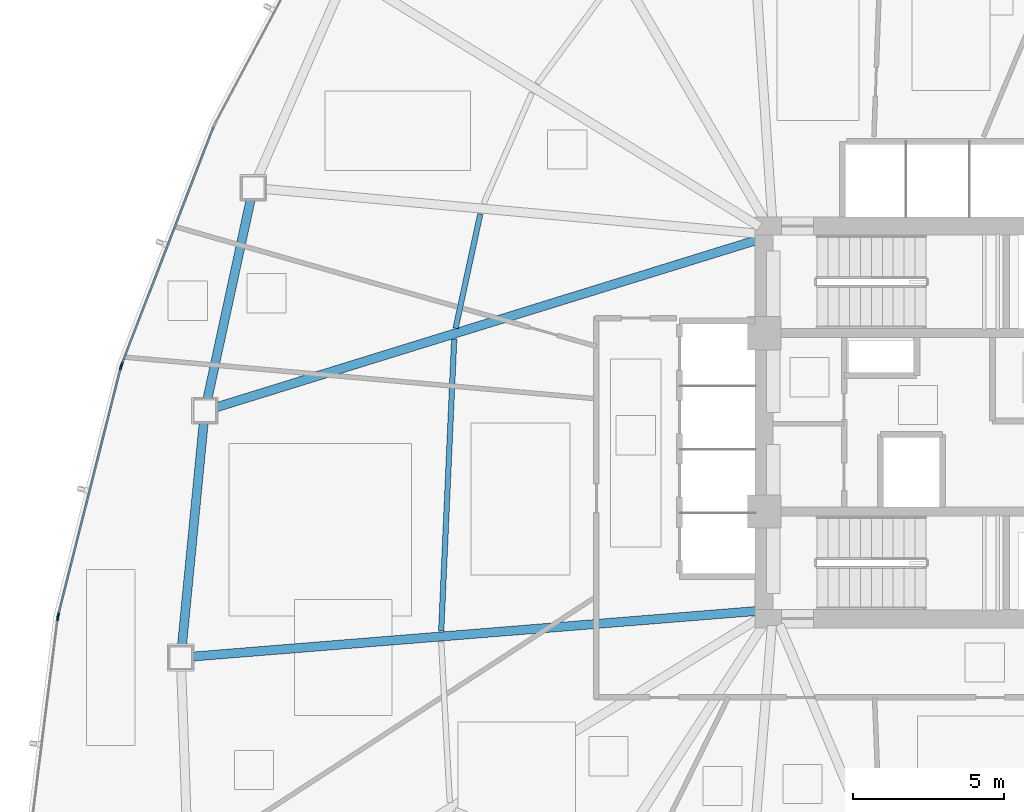
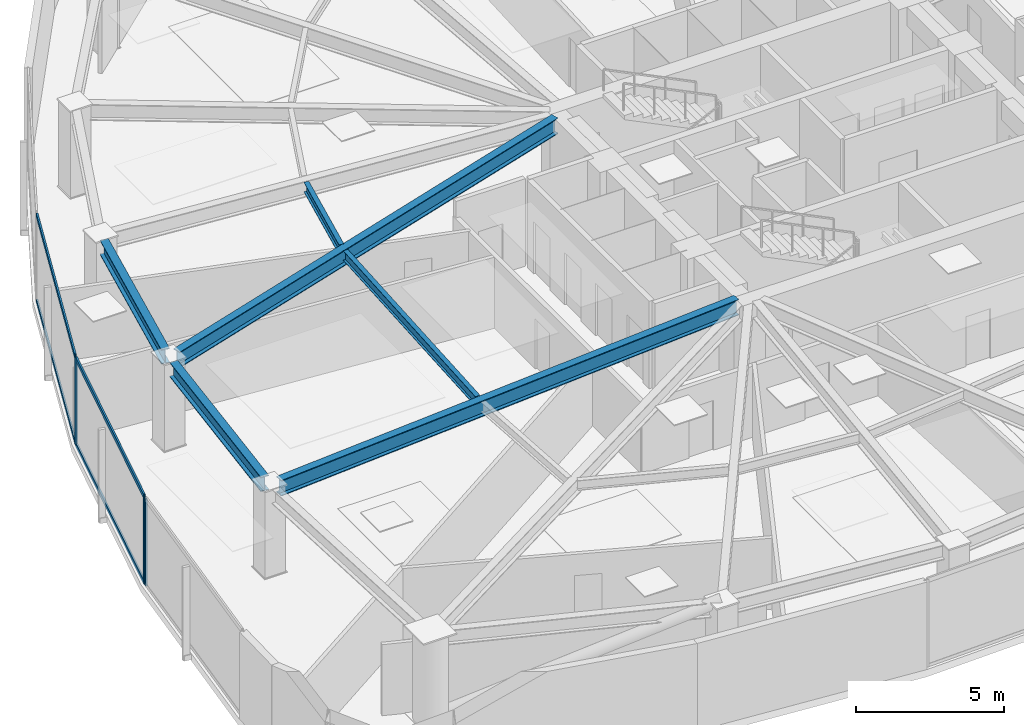
# One storey, part 4 of 18: 8 members, 6 beams, 3 elements without a shape of their own.
"""IFC4 building model written with IfcOpenShell, lengths in metres."""

from ifc_helpers import new_model, si_unit, direction, frame, origin, origin_2d, place, context, subcontext, project, spatial, hollow_rectangle, i_section, extrude, source, transform, mapped, material, layer, layer_set, material_profile, profile_set, type_object, type_shapes, element, aggregate, save


model = new_model("IFC4")

# Units and contexts
model_context = context("Model", 3, precision=1e-05, world=origin(), true_north=direction((0.0, 1.0)))
body_context = subcontext(model_context, "Body", "Model", "MODEL_VIEW")
ifc_project = project(units=[si_unit("LENGTHUNIT", "METRE"), si_unit("AREAUNIT", "SQUARE_METRE"), si_unit("VOLUMEUNIT", "CUBIC_METRE"), si_unit("PLANEANGLEUNIT", "RADIAN"), si_unit("MASSUNIT", "GRAM", prefix="KILO")], contexts=[model_context])

# Site, building, storey
site_placement = place(None, origin())
site = spatial("IfcSite", under=ifc_project, at=site_placement, CompositionType="ELEMENT")
building_placement = place(site_placement, origin())
building = spatial("IfcBuilding", under=site, at=building_placement, Name="Tavelor Broadcast Tower", CompositionType="ELEMENT")
storey_placement = place(building_placement, frame((0.0, 0.0, 47.10009765625)))
storey = spatial("IfcBuildingStorey", under=building, at=storey_placement, Name="L10", CompositionType="ELEMENT", Elevation=47.10009765625)

# Beams
ifc_material_1 = material(Name="Steel S355", Category="steel")
ifc_material_profile_1 = material_profile(ifc_material_1, i_section(OverallWidth=0.179931640625, OverallDepth=0.39990234375, WebThickness=0.008544921875, FlangeThickness=0.013427734375, at=origin_2d()), Name="IPE 400")
ifc_profile_set_1 = profile_set([ifc_material_profile_1], Name="Steel S355")
beam_type_1 = type_object("IfcBeamType", Name="Composite Floor Joist T1 IPE 400", PredefinedType="JOIST", material=ifc_profile_set_1)
beam_1_placement = place(storey_placement, frame((33.70654296875, 51.897216796875, 3.39990234375), z_axis=(-0.211371868345, -0.977405715797, 0.0), x_axis=(0.977405715797, -0.211371868345, 0.0)))
element("IfcBeam", 1, at=beam_1_placement, inside=storey, type_object=beam_type_1, Name="L10 Secondary Composite Floor Joist 04", PredefinedType="JOIST", context=body_context, shape_type="SweptSolid", body=[
    extrude(i_section(OverallWidth=0.179931640625, OverallDepth=0.39990234375, WebThickness=0.008544921875, FlangeThickness=0.013427734375, at=origin_2d()), origin(), (0.0, 0.0, 1.0), 3.87158203125),
])
beam_2_placement = place(storey_placement, frame((32.841796875, 47.75537109375, 3.39990234375), z_axis=(-0.044449316538, -0.999011640703, 0.0), x_axis=(0.999011640703, -0.044449316538, 0.0)))
element("IfcBeam", 2, at=beam_2_placement, inside=storey, type_object=beam_type_1, Name="L10 Secondary Composite Floor Joist 05", PredefinedType="JOIST", context=body_context, shape_type="SweptSolid", body=[
    extrude(i_section(OverallWidth=0.179931640625, OverallDepth=0.39990234375, WebThickness=0.008544921875, FlangeThickness=0.013427734375, at=origin_2d()), origin(), (0.0, 0.0, 1.0), 9.67236328125),
])
ifc_material_profile_2 = material_profile(ifc_material_1, i_section(OverallWidth=0.300048828125, OverallDepth=0.60009765625, WebThickness=0.015380859375, FlangeThickness=0.030029296875, at=origin_2d()), Name="HEB 600")
ifc_profile_set_2 = profile_set([ifc_material_profile_2], Name="Steel S355")
beam_type_2 = type_object("IfcBeamType", Name="Perimeter Spandrel Beam T1 HEB 600", PredefinedType="SPANDREL", material=ifc_profile_set_2)
beam_3_placement = place(storey_placement, frame((26.10791015625, 52.3828125, 3.2998046875), z_axis=(-0.211857092451, -0.977300656082, 0.0), x_axis=(0.977300656082, -0.211857092451, 0.0)))
element("IfcBeam", 3, at=beam_3_placement, inside=storey, type_object=beam_type_2, Name="L10 Framed-Tube Ring Spandrel 04", PredefinedType="SPANDREL", context=body_context, shape_type="SweptSolid", body=[
    extrude(i_section(OverallWidth=0.300048828125, OverallDepth=0.60009765625, WebThickness=0.015380859375, FlangeThickness=0.030029296875, at=origin_2d()), origin(), (0.0, 0.0, 1.0), 6.780517578125),
])
beam_4_placement = place(storey_placement, frame((24.552734375, 44.99853515625, 3.2998046875), z_axis=(-0.096967474029, -0.995287550902, 0.0), x_axis=(0.995287550902, -0.096967474029, 0.0)))
element("IfcBeam", 4, at=beam_4_placement, inside=storey, type_object=beam_type_2, Name="L10 Framed-Tube Ring Spandrel 05", PredefinedType="SPANDREL", context=body_context, shape_type="SweptSolid", body=[
    extrude(i_section(OverallWidth=0.300048828125, OverallDepth=0.60009765625, WebThickness=0.015380859375, FlangeThickness=0.030029296875, at=origin_2d()), origin(), (0.0, 0.0, 1.0), 7.43505859375),
])
ifc_material_profile_3 = material_profile(ifc_material_1, i_section(OverallWidth=0.300048828125, OverallDepth=0.64990234375, WebThickness=0.01611328125, FlangeThickness=0.031005859375, at=origin_2d()), Name="HEB 650")
ifc_profile_set_3 = profile_set([ifc_material_profile_3], Name="Steel S355")
beam_type_3 = type_object("IfcBeamType", Name="Radial Floor Girder T1 HEB 650", PredefinedType="BEAM", material=ifc_profile_set_3)
beam_5_placement = place(storey_placement, frame((42.8955078125, 51.0439453125, 3.27490234375), z_axis=(-0.955325842182, -0.29555462314, 0.0), x_axis=(0.29555462314, -0.955325842182, 0.0)))
element("IfcBeam", 5, at=beam_5_placement, inside=storey, type_object=beam_type_3, Name="L10 Radial Primary Floor Girder 05", PredefinedType="BEAM", context=body_context, shape_type="SweptSolid", body=[
    extrude(i_section(OverallWidth=0.300048828125, OverallDepth=0.64990234375, WebThickness=0.01611328125, FlangeThickness=0.031005859375, at=origin_2d()), origin(), (0.0, 0.0, 1.0), 18.777587890625),
])
beam_6_placement = place(storey_placement, frame((42.873779296875, 38.757568359375, 3.27490234375), z_axis=(-0.996753315624, -0.080516009538, 0.0), x_axis=(0.080516009538, -0.996753315624, 0.0)))
element("IfcBeam", 6, at=beam_6_placement, inside=storey, type_object=beam_type_3, Name="L10 Radial Primary Floor Girder 06", PredefinedType="BEAM", context=body_context, shape_type="SweptSolid", body=[
    extrude(i_section(OverallWidth=0.300048828125, OverallDepth=0.64990234375, WebThickness=0.01611328125, FlangeThickness=0.031005859375, at=origin_2d()), origin(), (0.0, 0.0, 1.0), 18.757080078125),
])

# Curtain wall, member
ifc_material_2 = material(Name="Architectural Anodized Aluminium", Category="aluminium")
ifc_layer = layer(ifc_material_2, 0.179931640625)
ifc_layer_set = layer_set([ifc_layer], Name="Architectural Anodized Aluminium")
curtain_wall_type = type_object("IfcCurtainWallType", Name="Tower Low-Zone Unitised Curtain Wall CW02", PredefinedType="NOTDEFINED", material=ifc_layer_set)
curtain_wall_1_placement = place(storey_placement, origin())
curtain_wall_1 = element("IfcCurtainWall", 7, at=curtain_wall_1_placement, inside=storey, type_object=curtain_wall_type, Name="L10 Curtain Wall CW02 Run 74", PredefinedType="NOTDEFINED")
ifc_material_profile_4 = material_profile(ifc_material_2, hollow_rectangle(XDim=0.06494140625, YDim=0.179931640625, WallThickness=0.02197265625, at=origin_2d()), Name="RHS 65x180x22")
ifc_profile_set_4 = profile_set([ifc_material_profile_4], Name="Architectural Anodized Aluminium")
member_type_1 = type_object("IfcMemberType", Name="CW02 Extruded Aluminium Mullion 65x180", PredefinedType="MULLION", material=ifc_profile_set_4)
shared_shape_1 = source(origin(), body_context, "Body", "SweptSolid", [
    extrude(hollow_rectangle(XDim=0.06494140625, YDim=0.179931640625, WallThickness=0.02197265625, at=origin_2d()), origin(), (0.0, 0.0, 1.0), 3.599853515625),
])
type_shapes(member_type_1, [shared_shape_1])
member_1_placement = place(storey_placement, frame((21.83935546875, 46.910400390625, 0.0), z_axis=(0.0, 0.0, 1.0), x_axis=(0.932798224078, -0.360399047108, 0.0)))
member_1 = element("IfcMember", 8, at=member_1_placement, type_object=member_type_1, Name="CW02 mullion 2", PredefinedType="MULLION", context=body_context, shape_type="MappedRepresentation", body=[
    mapped(shared_shape_1, transform((0.0, 0.0, 0.0), scale=1.0)),
])

# Curtain wall, members
curtain_wall_2_placement = place(storey_placement, origin())
curtain_wall_2 = element("IfcCurtainWall", 9, at=curtain_wall_2_placement, inside=storey, type_object=curtain_wall_type, Name="L10 Curtain Wall CW02 Run 75", PredefinedType="NOTDEFINED")
member_2_placement = place(storey_placement, frame((21.810546875, 46.81982421875, 0.0), z_axis=(0.0, 0.0, 1.0), x_axis=(0.969554917842, -0.244873970215, 0.0)))
member_2 = element("IfcMember", 10, at=member_2_placement, type_object=member_type_1, Name="CW02 mullion 1", PredefinedType="MULLION", context=body_context, shape_type="MappedRepresentation", body=[
    mapped(shared_shape_1, transform((0.0, 0.0, 0.0), scale=1.0)),
])
member_3_placement = place(storey_placement, frame((19.740234375, 38.6220703125, 0.0), z_axis=(0.0, 0.0, 1.0), x_axis=(0.969554917842, -0.244873970215, 0.0)))
member_3 = element("IfcMember", 11, at=member_3_placement, type_object=member_type_1, Name="CW02 mullion 2", PredefinedType="MULLION", context=body_context, shape_type="MappedRepresentation", body=[
    mapped(shared_shape_1, transform((0.0, 0.0, 0.0), scale=1.0)),
])

# Curtain wall, member
curtain_wall_3_placement = place(storey_placement, origin())
curtain_wall_3 = element("IfcCurtainWall", 12, at=curtain_wall_3_placement, inside=storey, type_object=curtain_wall_type, Name="L10 Curtain Wall CW02 Run 76", PredefinedType="NOTDEFINED")
member_4_placement = place(storey_placement, frame((19.722412109375, 38.52880859375, 0.0), z_axis=(0.0, 0.0, 1.0), x_axis=(0.992062656931, -0.125744521639, 0.0)))
member_4 = element("IfcMember", 13, at=member_4_placement, type_object=member_type_1, Name="CW02 mullion 1", PredefinedType="MULLION", context=body_context, shape_type="MappedRepresentation", body=[
    mapped(shared_shape_1, transform((0.0, 0.0, 0.0), scale=1.0)),
])
aggregate(curtain_wall_3, [member_4])

# Member
ifc_material_profile_5 = material_profile(ifc_material_2, hollow_rectangle(XDim=0.06494140625, YDim=0.179931640625, WallThickness=0.02197265625, at=origin_2d()), Name="RHS 65x180x22")
ifc_profile_set_5 = profile_set([ifc_material_profile_5], Name="Architectural Anodized Aluminium")
member_type_2 = type_object("IfcMemberType", Name="CW02 Extruded Aluminium Transom 65x180", PredefinedType="USERDEFINED", material=ifc_profile_set_5)
shared_shape_2 = source(origin(), body_context, "Body", "SweptSolid", [
    extrude(hollow_rectangle(XDim=0.06494140625, YDim=0.179931640625, WallThickness=0.02197265625, at=origin_2d()), origin(), (0.0, 0.0, 1.0), 8.390380859375),
])
member_5_placement = place(storey_placement, frame((24.875, 54.76708984375, 0.032470703125), z_axis=(-0.360407910506, -0.932794799538, 0.0), x_axis=(0.932794799538, -0.360407910506, 0.0)))
member_5 = element("IfcMember", 14, at=member_5_placement, type_object=member_type_2, Name="CW02 transom 1.1", ObjectType="TRANSOM", PredefinedType="USERDEFINED", context=body_context, shape_type="MappedRepresentation", body=[
    mapped(shared_shape_2, transform((0.0, 0.0, 0.0), scale=1.0)),
])

member_6_placement = place(storey_placement, frame((24.875, 54.76708984375, 3.5673828125), z_axis=(-0.360407910506, -0.932794799538, 0.0), x_axis=(0.932794799538, -0.360407910506, 0.0)))
member_6 = element("IfcMember", 15, at=member_6_placement, type_object=member_type_2, Name="CW02 transom 1.2", ObjectType="TRANSOM", PredefinedType="USERDEFINED", context=body_context, shape_type="MappedRepresentation", body=[
    mapped(shared_shape_2, transform((0.0, 0.0, 0.0), scale=1.0)),
])

aggregate(curtain_wall_1, [member_1, member_5, member_6])

shared_shape_3 = source(origin(), body_context, "Body", "SweptSolid", [
    extrude(hollow_rectangle(XDim=0.06494140625, YDim=0.179931640625, WallThickness=0.02197265625, at=origin_2d()), origin(), (0.0, 0.0, 1.0), 8.39013671875),
])
type_shapes(member_type_2, [shared_shape_2, shared_shape_3])
member_7_placement = place(storey_placement, frame((21.802734375, 46.788330078125, 0.032470703125), z_axis=(-0.244890149945, -0.969550831293, 0.0), x_axis=(0.969550831293, -0.244890149945, 0.0)))
member_7 = element("IfcMember", 16, at=member_7_placement, type_object=member_type_2, Name="CW02 transom 1.1", ObjectType="TRANSOM", PredefinedType="USERDEFINED", context=body_context, shape_type="MappedRepresentation", body=[
    mapped(shared_shape_3, transform((0.0, 0.0, 0.0), scale=1.0)),
])

member_8_placement = place(storey_placement, frame((21.802734375, 46.788330078125, 3.5673828125), z_axis=(-0.244890149945, -0.969550831293, 0.0), x_axis=(0.969550831293, -0.244890149945, 0.0)))
member_8 = element("IfcMember", 17, at=member_8_placement, type_object=member_type_2, Name="CW02 transom 1.2", ObjectType="TRANSOM", PredefinedType="USERDEFINED", context=body_context, shape_type="MappedRepresentation", body=[
    mapped(shared_shape_3, transform((0.0, 0.0, 0.0), scale=1.0)),
])

aggregate(curtain_wall_2, [member_2, member_3, member_7, member_8])

save(model, "model.ifc")
